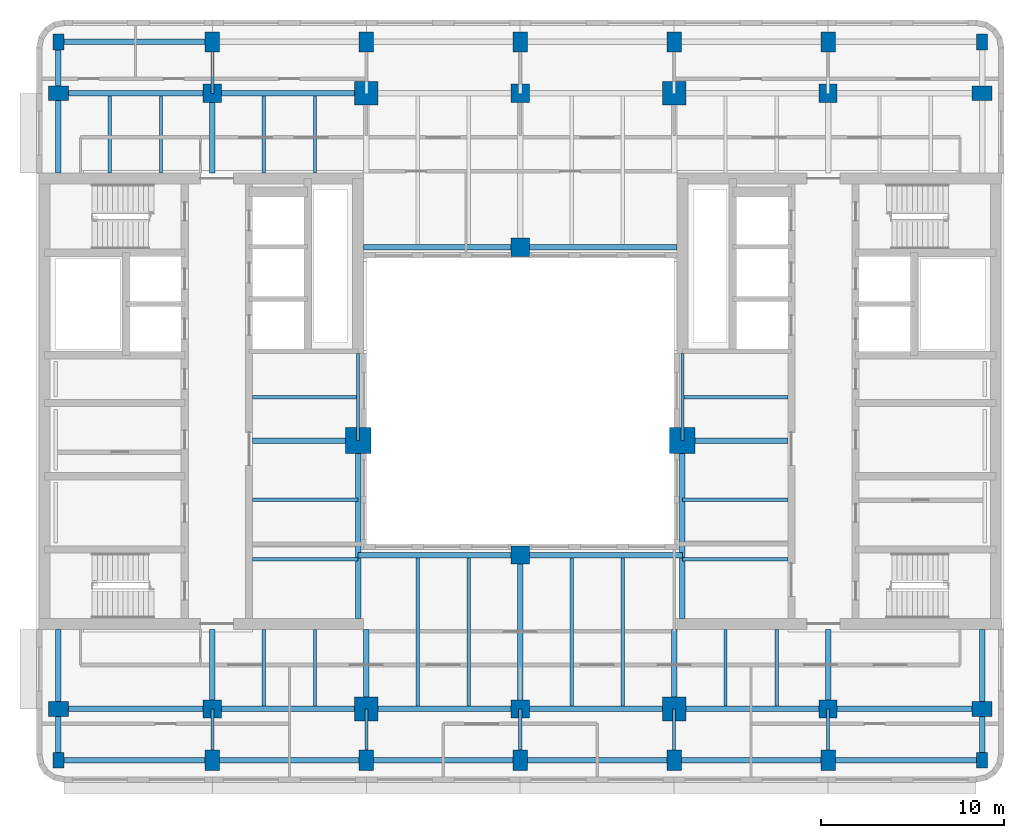
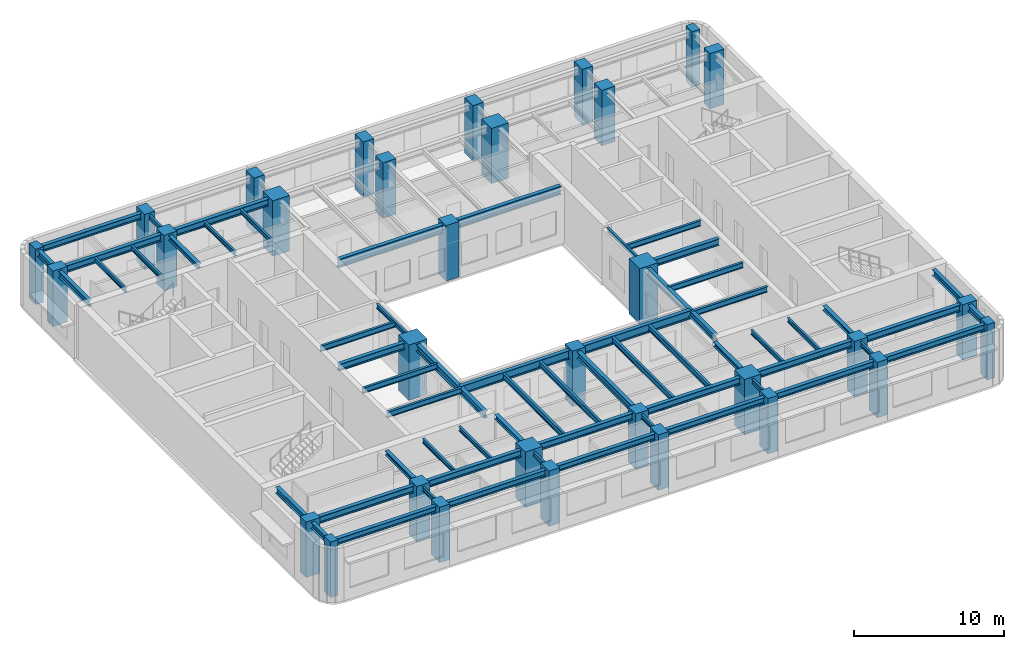
# One storey, part 1 of 11: 61 beams, 32 columns.
"""IFC4 building model written with IfcOpenShell, lengths in metres."""

from ifc_helpers import new_model, si_unit, direction, frame, origin, origin_2d, place, context, subcontext, project, spatial, rectangle, i_section, extrude, material, material_profile, profile_set, type_object, element, save


model = new_model("IFC4")

# Units and contexts
model_context = context("Model", 3, precision=1e-05, world=origin(), true_north=direction((0.0, 1.0)))
body_context = subcontext(model_context, "Body", "Model", "MODEL_VIEW")
ifc_project = project(units=[si_unit("LENGTHUNIT", "METRE"), si_unit("AREAUNIT", "SQUARE_METRE"), si_unit("VOLUMEUNIT", "CUBIC_METRE"), si_unit("PLANEANGLEUNIT", "RADIAN"), si_unit("MASSUNIT", "GRAM", prefix="KILO")], contexts=[model_context])

# Site, building, storey
site_placement = place(None, origin())
site = spatial("IfcSite", under=ifc_project, at=site_placement, CompositionType="ELEMENT")
building_placement = place(site_placement, origin())
building = spatial("IfcBuilding", under=site, at=building_placement, Name="Claustro Exchange Tower", CompositionType="ELEMENT")
storey_placement = place(building_placement, frame((0.0, 0.0, 268.199951171875)))
storey = spatial("IfcBuildingStorey", under=building, at=storey_placement, Name="L61", CompositionType="ELEMENT", Elevation=268.199951171875)

# Columns
ifc_material_1 = material(Name="Concrete HA-70 (C70/85)", Category="concrete")
ifc_material_profile_1 = material_profile(ifc_material_1, rectangle(XDim=1.39990234375, YDim=1.39990234375, at=origin_2d()), Name="RC 1400x1400")
ifc_profile_set_1 = profile_set([ifc_material_profile_1], Name="Concrete HA-70 (C70/85)")
column_type_1 = type_object("IfcColumnType", Name="C0 RC 1400x1400 HA-70 column", PredefinedType="COLUMN", material=ifc_profile_set_1)
for number, where, z_axis, x_axis, name in (
    (1, (16.35009765625, 23.050048828125, 0.0), (0.0, 0.0, 1.0), (1.0, 0.0, 0.0), "Column C0 2+7950/C+6250 L61"),
    (2, (34.050048828125, 23.050048828125, 0.0), (0.0, 0.0, 1.0), (1.0, 0.0, 0.0), "Column C0 5+450/C+6250 L61"),
):
    element("IfcColumn", number, at=place(storey_placement, frame(where, z_axis=z_axis, x_axis=x_axis)), inside=storey, type_object=column_type_1, Name=name, PredefinedType="COLUMN", context=body_context, shape_type="SweptSolid", body=[
        extrude(rectangle(XDim=1.39990234375, YDim=1.39990234375, at=origin_2d()), origin(), (0.0, 0.0, 1.0), 4.5),
    ])
ifc_material_2 = material(Name="Concrete HA-70 (C70/85)", Category="concrete")
ifc_material_profile_2 = material_profile(ifc_material_2, rectangle(XDim=1.0, YDim=1.0, at=origin_2d()), Name="RC 1000x1000")
ifc_profile_set_2 = profile_set([ifc_material_profile_2], Name="Concrete HA-70 (C70/85)")
column_type_2 = type_object("IfcColumnType", Name="C2 RC 1000x1000 HA-70 column", PredefinedType="COLUMN", material=ifc_profile_set_2)
for number, where, z_axis, x_axis, name in (
    (3, (8.39990234375, 8.39990234375, 0.0), (0.0, 0.0, 1.0), (1.0, 0.0, 0.0), "Column C2 2/B L61"),
    (4, (8.39990234375, 42.0, 0.0), (0.0, 0.0, 1.0), (1.0, 0.0, 0.0), "Column C2 2/F L61"),
    (5, (25.199951171875, 8.39990234375, 0.0), (0.0, 0.0, 1.0), (1.0, 0.0, 0.0), "Column C2 4/B L61"),
    (6, (25.199951171875, 42.0, 0.0), (0.0, 0.0, 1.0), (1.0, 0.0, 0.0), "Column C2 4/F L61"),
    (7, (25.199951171875, 16.800048828125, 0.0), (0.0, 0.0, 1.0), (1.0, 0.0, 0.0), "Column C2 4/C L61"),
    (8, (25.199951171875, 33.60009765625, 0.0), (0.0, 0.0, 1.0), (1.0, 0.0, 0.0), "Column C2 4/E L61"),
    (9, (42.0, 8.39990234375, 0.0), (0.0, 0.0, 1.0), (1.0, 0.0, 0.0), "Column C2 6/B L61"),
    (10, (42.0, 42.0, 0.0), (0.0, 0.0, 1.0), (1.0, 0.0, 0.0), "Column C2 6/F L61"),
):
    element("IfcColumn", number, at=place(storey_placement, frame(where, z_axis=z_axis, x_axis=x_axis)), inside=storey, type_object=column_type_2, Name=name, PredefinedType="COLUMN", context=body_context, shape_type="SweptSolid", body=[
        extrude(rectangle(XDim=1.0, YDim=1.0, at=origin_2d()), origin(), (0.0, 0.0, 1.0), 4.5),
    ])
ifc_material_3 = material(Name="Concrete HA-50 (C50/60)", Category="concrete")
ifc_material_profile_3 = material_profile(ifc_material_3, rectangle(XDim=0.800048828125, YDim=1.10009765625, at=origin_2d()), Name="RC 800x1100")
ifc_profile_set_3 = profile_set([ifc_material_profile_3], Name="Concrete HA-50 (C50/60)")
column_type_3 = type_object("IfcColumnType", Name="C23 RC 800x1100 HA-50 perimeter column", PredefinedType="COLUMN", material=ifc_profile_set_3)
for number, where, z_axis, x_axis, name in (
    (11, (0.0, 8.39990234375, 0.0), (0.0, 0.0, 1.0), (0.0, 1.0, 0.0), "Column C23 1/B L61"),
    (12, (0.0, 42.0, 0.0), (0.0, 0.0, 1.0), (0.0, 1.0, 0.0), "Column C23 1/F L61"),
    (13, (8.39990234375, 5.60009765625, 0.0), (0.0, 0.0, 1.0), (1.0, 0.0, 0.0), "Column C23 2/A+5600 L61"),
    (14, (8.39990234375, 44.800048828125, 0.0), (0.0, 0.0, 1.0), (1.0, 0.0, 0.0), "Column C23 2/F+2800 L61"),
    (15, (16.800048828125, 5.60009765625, 0.0), (0.0, 0.0, 1.0), (1.0, 0.0, 0.0), "Column C23 3/A+5600 L61"),
    (16, (16.800048828125, 44.800048828125, 0.0), (0.0, 0.0, 1.0), (1.0, 0.0, 0.0), "Column C23 3/F+2800 L61"),
    (17, (25.199951171875, 5.60009765625, 0.0), (0.0, 0.0, 1.0), (1.0, 0.0, 0.0), "Column C23 4/A+5600 L61"),
    (18, (25.199951171875, 44.800048828125, 0.0), (0.0, 0.0, 1.0), (1.0, 0.0, 0.0), "Column C23 4/F+2800 L61"),
    (19, (33.60009765625, 5.60009765625, 0.0), (0.0, 0.0, 1.0), (1.0, 0.0, 0.0), "Column C23 5/A+5600 L61"),
    (20, (33.60009765625, 44.800048828125, 0.0), (0.0, 0.0, 1.0), (1.0, 0.0, 0.0), "Column C23 5/F+2800 L61"),
    (21, (42.0, 5.60009765625, 0.0), (0.0, 0.0, 1.0), (1.0, 0.0, 0.0), "Column C23 6/A+5600 L61"),
    (22, (42.0, 44.800048828125, 0.0), (0.0, 0.0, 1.0), (1.0, 0.0, 0.0), "Column C23 6/F+2800 L61"),
    (23, (50.39990234375, 8.39990234375, 0.0), (0.0, 0.0, 1.0), (0.0, 1.0, 0.0), "Column C23 7/B L61"),
    (24, (50.39990234375, 42.0, 0.0), (0.0, 0.0, 1.0), (0.0, 1.0, 0.0), "Column C23 7/F L61"),
):
    element("IfcColumn", number, at=place(storey_placement, frame(where, z_axis=z_axis, x_axis=x_axis)), inside=storey, type_object=column_type_3, Name=name, PredefinedType="COLUMN", context=body_context, shape_type="SweptSolid", body=[
        extrude(rectangle(XDim=0.800048828125, YDim=1.10009765625, at=origin_2d()), origin(), (0.0, 0.0, 1.0), 4.5),
    ])
ifc_material_4 = material(Name="Concrete HA-50 (C50/60)", Category="concrete")
ifc_material_profile_4 = material_profile(ifc_material_4, rectangle(XDim=0.60009765625, YDim=0.85009765625, at=origin_2d()), Name="RC 600x850")
ifc_profile_set_4 = profile_set([ifc_material_profile_4], Name="Concrete HA-50 (C50/60)")
column_type_4 = type_object("IfcColumnType", Name="C25 RC 600x850 HA-50 corner column", PredefinedType="COLUMN", material=ifc_profile_set_4)
for number, where, z_axis, x_axis, name in (
    (25, (0.0, 5.60009765625, 0.0), (0.0, 0.0, 1.0), (1.0, 0.0, 0.0), "Column C25 1/A+5600 L61"),
    (26, (0.0, 44.800048828125, 0.0), (0.0, 0.0, 1.0), (1.0, 0.0, 0.0), "Column C25 1/F+2800 L61"),
    (27, (50.39990234375, 5.60009765625, 0.0), (0.0, 0.0, 1.0), (1.0, 0.0, 0.0), "Column C25 7/A+5600 L61"),
    (28, (50.39990234375, 44.800048828125, 0.0), (0.0, 0.0, 1.0), (1.0, 0.0, 0.0), "Column C25 7/F+2800 L61"),
):
    element("IfcColumn", number, at=place(storey_placement, frame(where, z_axis=z_axis, x_axis=x_axis)), inside=storey, type_object=column_type_4, Name=name, PredefinedType="COLUMN", context=body_context, shape_type="SweptSolid", body=[
        extrude(rectangle(XDim=0.60009765625, YDim=0.85009765625, at=origin_2d()), origin(), (0.0, 0.0, 1.0), 4.5),
    ])
ifc_material_5 = material(Name="Concrete HA-70 (C70/85)", Category="concrete")
ifc_material_profile_5 = material_profile(ifc_material_5, rectangle(XDim=1.300048828125, YDim=1.300048828125, at=origin_2d()), Name="RC 1300x1300")
ifc_profile_set_5 = profile_set([ifc_material_profile_5], Name="Concrete HA-70 (C70/85)")
column_type_5 = type_object("IfcColumnType", Name="C42 RC 1300x1300 HA-70 column", PredefinedType="COLUMN", material=ifc_profile_set_5)
for number, where, z_axis, x_axis, name in (
    (29, (16.800048828125, 8.39990234375, 0.0), (0.0, 0.0, 1.0), (1.0, 0.0, 0.0), "Column C42 3/B L61"),
    (30, (16.800048828125, 42.0, 0.0), (0.0, 0.0, 1.0), (1.0, 0.0, 0.0), "Column C42 3/F L61"),
    (31, (33.60009765625, 8.39990234375, 0.0), (0.0, 0.0, 1.0), (1.0, 0.0, 0.0), "Column C42 5/B L61"),
    (32, (33.60009765625, 42.0, 0.0), (0.0, 0.0, 1.0), (1.0, 0.0, 0.0), "Column C42 5/F L61"),
):
    element("IfcColumn", number, at=place(storey_placement, frame(where, z_axis=z_axis, x_axis=x_axis)), inside=storey, type_object=column_type_5, Name=name, PredefinedType="COLUMN", context=body_context, shape_type="SweptSolid", body=[
        extrude(rectangle(XDim=1.300048828125, YDim=1.300048828125, at=origin_2d()), origin(), (0.0, 0.0, 1.0), 4.5),
    ])

# Beams
ifc_material_6 = material(Name="Steel S355", Category="steel")
ifc_material_profile_6 = material_profile(ifc_material_6, i_section(OverallWidth=0.300048828125, OverallDepth=0.68994140625, WebThickness=0.014404296875, FlangeThickness=0.027099609375, FilletRadius=0.027099609375, at=origin_2d()), Name="HE 700 A")
ifc_profile_set_6 = profile_set([ifc_material_profile_6], Name="Steel S355")
beam_type_1 = type_object("IfcBeamType", Name="B13 HE 700 A light well edge girder", PredefinedType="BEAM", material=ifc_profile_set_6)
beam_1_placement = place(storey_placement, frame((16.35009765625, 16.800048828125, 4.005126953125), z_axis=(1.0, 0.0, 0.0), x_axis=(0.0, 1.0, 0.0)))
element("IfcBeam", 33, at=beam_1_placement, inside=storey, type_object=beam_type_1, Name="Beam B13 L62", PredefinedType="BEAM", context=body_context, shape_type="SweptSolid", body=[
    extrude(i_section(OverallWidth=0.300048828125, OverallDepth=0.68994140625, WebThickness=0.014404296875, FlangeThickness=0.027099609375, FilletRadius=0.027099609375, at=origin_2d()), origin(), (0.0, 0.0, 1.0), 8.849853515625),
])
beam_2_placement = place(storey_placement, frame((25.199951171875, 16.800048828125, 4.005126953125), z_axis=(1.0, 0.0, 0.0), x_axis=(0.0, 1.0, 0.0)))
element("IfcBeam", 34, at=beam_2_placement, inside=storey, type_object=beam_type_1, Name="Beam B13 L62", PredefinedType="BEAM", context=body_context, shape_type="SweptSolid", body=[
    extrude(i_section(OverallWidth=0.300048828125, OverallDepth=0.68994140625, WebThickness=0.014404296875, FlangeThickness=0.027099609375, FilletRadius=0.027099609375, at=origin_2d()), origin(), (0.0, 0.0, 1.0), 8.85009765625),
])
for number, where, z_axis, x_axis, name in (
    (35, (16.64990234375, 33.60009765625, 4.005126953125), (1.0, 0.0, 0.0), (0.0, 1.0, 0.0), "Beam B13 L62"),
    (36, (25.199951171875, 33.60009765625, 4.005126953125), (1.0, 0.0, 0.0), (0.0, 1.0, 0.0), "Beam B13 L62"),
):
    element("IfcBeam", number, at=place(storey_placement, frame(where, z_axis=z_axis, x_axis=x_axis)), inside=storey, type_object=beam_type_1, Name=name, PredefinedType="BEAM", context=body_context, shape_type="SweptSolid", body=[
        extrude(i_section(OverallWidth=0.300048828125, OverallDepth=0.68994140625, WebThickness=0.014404296875, FlangeThickness=0.027099609375, FilletRadius=0.027099609375, at=origin_2d()), origin(), (0.0, 0.0, 1.0), 8.550048828125),
    ])
ifc_material_7 = material(Name="Steel S355", Category="steel")
ifc_material_profile_7 = material_profile(ifc_material_7, i_section(OverallWidth=0.169921875, OverallDepth=0.360107421875, WebThickness=0.008056640625, FlangeThickness=0.0126953125, FilletRadius=0.01806640625, at=origin_2d()), Name="IPE 360")
ifc_profile_set_7 = profile_set([ifc_material_profile_7], Name="Steel S355")
beam_type_2 = type_object("IfcBeamType", Name="B16 IPE 360 short-span beam", PredefinedType="BEAM", material=ifc_profile_set_7)
beam_3_placement = place(storey_placement, frame((8.39990234375, 5.60009765625, 4.170166015625), z_axis=(0.0, 1.0, 0.0), x_axis=(-1.0, 0.0, 0.0)))
element("IfcBeam", 37, at=beam_3_placement, inside=storey, type_object=beam_type_2, Name="Beam B16 L62", PredefinedType="BEAM", context=body_context, shape_type="SweptSolid", body=[
    extrude(i_section(OverallWidth=0.169921875, OverallDepth=0.360107421875, WebThickness=0.008056640625, FlangeThickness=0.0126953125, FilletRadius=0.01806640625, at=origin_2d()), origin(), (0.0, 0.0, 1.0), 2.7998046875),
])
beam_4_placement = place(storey_placement, frame((8.39990234375, 42.0, 4.170166015625), z_axis=(0.0, 1.0, 0.0), x_axis=(-1.0, 0.0, 0.0)))
element("IfcBeam", 38, at=beam_4_placement, inside=storey, type_object=beam_type_2, Name="Beam B16 L62", PredefinedType="BEAM", context=body_context, shape_type="SweptSolid", body=[
    extrude(i_section(OverallWidth=0.169921875, OverallDepth=0.360107421875, WebThickness=0.008056640625, FlangeThickness=0.0126953125, FilletRadius=0.01806640625, at=origin_2d()), origin(), (0.0, 0.0, 1.0), 2.800048828125),
])
for number, where, z_axis, x_axis, name in (
    (39, (16.800048828125, 5.60009765625, 4.170166015625), (0.0, 1.0, 0.0), (-1.0, 0.0, 0.0), "Beam B16 L62"),
    (40, (25.199951171875, 5.60009765625, 4.170166015625), (0.0, 1.0, 0.0), (-1.0, 0.0, 0.0), "Beam B16 L62"),
    (41, (33.60009765625, 5.60009765625, 4.170166015625), (0.0, 1.0, 0.0), (-1.0, 0.0, 0.0), "Beam B16 L62"),
    (42, (42.0, 5.60009765625, 4.170166015625), (0.0, 1.0, 0.0), (-1.0, 0.0, 0.0), "Beam B16 L62"),
):
    element("IfcBeam", number, at=place(storey_placement, frame(where, z_axis=z_axis, x_axis=x_axis)), inside=storey, type_object=beam_type_2, Name=name, PredefinedType="BEAM", context=body_context, shape_type="SweptSolid", body=[
        extrude(i_section(OverallWidth=0.169921875, OverallDepth=0.360107421875, WebThickness=0.008056640625, FlangeThickness=0.0126953125, FilletRadius=0.01806640625, at=origin_2d()), origin(), (0.0, 0.0, 1.0), 2.7998046875),
    ])
for number, where, z_axis, x_axis, name in (
    (43, (2.800048828125, 37.64990234375, 4.170166015625), (0.0, 1.0, 0.0), (-1.0, 0.0, 0.0), "Beam B16 L62"),
    (44, (5.60009765625, 37.64990234375, 4.170166015625), (0.0, 1.0, 0.0), (-1.0, 0.0, 0.0), "Beam B16 L62"),
):
    element("IfcBeam", number, at=place(storey_placement, frame(where, z_axis=z_axis, x_axis=x_axis)), inside=storey, type_object=beam_type_2, Name=name, PredefinedType="BEAM", context=body_context, shape_type="SweptSolid", body=[
        extrude(i_section(OverallWidth=0.169921875, OverallDepth=0.360107421875, WebThickness=0.008056640625, FlangeThickness=0.0126953125, FilletRadius=0.01806640625, at=origin_2d()), origin(), (0.0, 0.0, 1.0), 4.2001953125),
    ])
for number, where, z_axis, x_axis, name in (
    (45, (11.199951171875, 8.550048828125, 4.170166015625), (0.0, 1.0, 0.0), (-1.0, 0.0, 0.0), "Beam B16 L62"),
    (46, (14.0, 8.550048828125, 4.170166015625), (0.0, 1.0, 0.0), (-1.0, 0.0, 0.0), "Beam B16 L62"),
):
    element("IfcBeam", number, at=place(storey_placement, frame(where, z_axis=z_axis, x_axis=x_axis)), inside=storey, type_object=beam_type_2, Name=name, PredefinedType="BEAM", context=body_context, shape_type="SweptSolid", body=[
        extrude(i_section(OverallWidth=0.169921875, OverallDepth=0.360107421875, WebThickness=0.008056640625, FlangeThickness=0.0126953125, FilletRadius=0.01806640625, at=origin_2d()), origin(), (0.0, 0.0, 1.0), 4.199951171875),
    ])
for number, where, z_axis, x_axis, name in (
    (47, (11.199951171875, 37.64990234375, 4.170166015625), (0.0, 1.0, 0.0), (-1.0, 0.0, 0.0), "Beam B16 L62"),
    (48, (14.0, 37.64990234375, 4.170166015625), (0.0, 1.0, 0.0), (-1.0, 0.0, 0.0), "Beam B16 L62"),
):
    element("IfcBeam", number, at=place(storey_placement, frame(where, z_axis=z_axis, x_axis=x_axis)), inside=storey, type_object=beam_type_2, Name=name, PredefinedType="BEAM", context=body_context, shape_type="SweptSolid", body=[
        extrude(i_section(OverallWidth=0.169921875, OverallDepth=0.360107421875, WebThickness=0.008056640625, FlangeThickness=0.0126953125, FilletRadius=0.01806640625, at=origin_2d()), origin(), (0.0, 0.0, 1.0), 4.2001953125),
    ])
for number, where, z_axis, x_axis, name in (
    (49, (36.39990234375, 8.550048828125, 4.170166015625), (0.0, 1.0, 0.0), (-1.0, 0.0, 0.0), "Beam B16 L62"),
    (50, (39.199951171875, 8.550048828125, 4.170166015625), (0.0, 1.0, 0.0), (-1.0, 0.0, 0.0), "Beam B16 L62"),
):
    element("IfcBeam", number, at=place(storey_placement, frame(where, z_axis=z_axis, x_axis=x_axis)), inside=storey, type_object=beam_type_2, Name=name, PredefinedType="BEAM", context=body_context, shape_type="SweptSolid", body=[
        extrude(i_section(OverallWidth=0.169921875, OverallDepth=0.360107421875, WebThickness=0.008056640625, FlangeThickness=0.0126953125, FilletRadius=0.01806640625, at=origin_2d()), origin(), (0.0, 0.0, 1.0), 4.199951171875),
    ])
for number, where, z_axis, x_axis, name in (
    (51, (16.35009765625, 23.050048828125, 4.170166015625), (0.0, 1.0, 0.0), (-1.0, 0.0, 0.0), "Beam B16 core step framing L62"),
    (52, (34.050048828125, 23.050048828125, 4.170166015625), (0.0, 1.0, 0.0), (-1.0, 0.0, 0.0), "Beam B16 core step framing L62"),
):
    element("IfcBeam", number, at=place(storey_placement, frame(where, z_axis=z_axis, x_axis=x_axis)), inside=storey, type_object=beam_type_2, Name=name, PredefinedType="BEAM", context=body_context, shape_type="SweptSolid", body=[
        extrude(i_section(OverallWidth=0.169921875, OverallDepth=0.360107421875, WebThickness=0.008056640625, FlangeThickness=0.0126953125, FilletRadius=0.01806640625, at=origin_2d()), origin(), (0.0, 0.0, 1.0), 4.75),
    ])
ifc_material_8 = material(Name="Steel S355", Category="steel")
ifc_material_profile_8 = material_profile(ifc_material_8, i_section(OverallWidth=0.300048828125, OverallDepth=0.550048828125, WebThickness=0.014892578125, FlangeThickness=0.029052734375, FilletRadius=0.027099609375, at=origin_2d()), Name="HE 550 B")
ifc_profile_set_8 = profile_set([ifc_material_profile_8], Name="Steel S355")
beam_type_3 = type_object("IfcBeamType", Name="B17 HE 550 B floor girder", PredefinedType="BEAM", material=ifc_profile_set_8)
beam_5_placement = place(storey_placement, frame((25.199951171875, 8.39990234375, 4.074951171875), z_axis=(0.0, 1.0, 0.0), x_axis=(-1.0, 0.0, 0.0)))
element("IfcBeam", 53, at=beam_5_placement, inside=storey, type_object=beam_type_3, Name="Beam B17 L62", PredefinedType="BEAM", context=body_context, shape_type="SweptSolid", body=[
    extrude(i_section(OverallWidth=0.300048828125, OverallDepth=0.550048828125, WebThickness=0.014892578125, FlangeThickness=0.029052734375, FilletRadius=0.027099609375, at=origin_2d()), origin(), (0.0, 0.0, 1.0), 8.400146484375),
])
beam_6_placement = place(storey_placement, frame((0.0, 8.39990234375, 4.074951171875), z_axis=(1.0, 0.0, 0.0), x_axis=(0.0, 1.0, 0.0)))
element("IfcBeam", 54, at=beam_6_placement, inside=storey, type_object=beam_type_3, Name="Beam B17 L62", PredefinedType="BEAM", context=body_context, shape_type="SweptSolid", body=[
    extrude(i_section(OverallWidth=0.300048828125, OverallDepth=0.550048828125, WebThickness=0.014892578125, FlangeThickness=0.029052734375, FilletRadius=0.027099609375, at=origin_2d()), origin(), (0.0, 0.0, 1.0), 8.39990234375),
])
beam_7_placement = place(storey_placement, frame((8.39990234375, 8.39990234375, 4.074951171875), z_axis=(1.0, 0.0, 0.0), x_axis=(0.0, 1.0, 0.0)))
element("IfcBeam", 55, at=beam_7_placement, inside=storey, type_object=beam_type_3, Name="Beam B17 L62", PredefinedType="BEAM", context=body_context, shape_type="SweptSolid", body=[
    extrude(i_section(OverallWidth=0.300048828125, OverallDepth=0.550048828125, WebThickness=0.014892578125, FlangeThickness=0.029052734375, FilletRadius=0.027099609375, at=origin_2d()), origin(), (0.0, 0.0, 1.0), 8.400146484375),
])
beam_8_placement = place(storey_placement, frame((16.800048828125, 8.39990234375, 4.074951171875), z_axis=(1.0, 0.0, 0.0), x_axis=(0.0, 1.0, 0.0)))
element("IfcBeam", 56, at=beam_8_placement, inside=storey, type_object=beam_type_3, Name="Beam B17 L62", PredefinedType="BEAM", context=body_context, shape_type="SweptSolid", body=[
    extrude(i_section(OverallWidth=0.300048828125, OverallDepth=0.550048828125, WebThickness=0.014892578125, FlangeThickness=0.029052734375, FilletRadius=0.027099609375, at=origin_2d()), origin(), (0.0, 0.0, 1.0), 8.39990234375),
])
beam_9_placement = place(storey_placement, frame((25.199951171875, 8.39990234375, 4.074951171875), z_axis=(1.0, 0.0, 0.0), x_axis=(0.0, 1.0, 0.0)))
element("IfcBeam", 57, at=beam_9_placement, inside=storey, type_object=beam_type_3, Name="Beam B17 L62", PredefinedType="BEAM", context=body_context, shape_type="SweptSolid", body=[
    extrude(i_section(OverallWidth=0.300048828125, OverallDepth=0.550048828125, WebThickness=0.014892578125, FlangeThickness=0.029052734375, FilletRadius=0.027099609375, at=origin_2d()), origin(), (0.0, 0.0, 1.0), 8.400146484375),
])
for number, where, z_axis, x_axis, name in (
    (58, (33.60009765625, 8.39990234375, 4.074951171875), (1.0, 0.0, 0.0), (0.0, 1.0, 0.0), "Beam B17 L62"),
    (59, (42.0, 8.39990234375, 4.074951171875), (1.0, 0.0, 0.0), (0.0, 1.0, 0.0), "Beam B17 L62"),
    (60, (0.0, 42.0, 4.074951171875), (1.0, 0.0, 0.0), (0.0, 1.0, 0.0), "Beam B17 L62"),
):
    element("IfcBeam", number, at=place(storey_placement, frame(where, z_axis=z_axis, x_axis=x_axis)), inside=storey, type_object=beam_type_3, Name=name, PredefinedType="BEAM", context=body_context, shape_type="SweptSolid", body=[
        extrude(i_section(OverallWidth=0.300048828125, OverallDepth=0.550048828125, WebThickness=0.014892578125, FlangeThickness=0.029052734375, FilletRadius=0.027099609375, at=origin_2d()), origin(), (0.0, 0.0, 1.0), 8.39990234375),
    ])
beam_10_placement = place(storey_placement, frame((8.39990234375, 42.0, 4.074951171875), z_axis=(1.0, 0.0, 0.0), x_axis=(0.0, 1.0, 0.0)))
element("IfcBeam", 61, at=beam_10_placement, inside=storey, type_object=beam_type_3, Name="Beam B17 L62", PredefinedType="BEAM", context=body_context, shape_type="SweptSolid", body=[
    extrude(i_section(OverallWidth=0.300048828125, OverallDepth=0.550048828125, WebThickness=0.014892578125, FlangeThickness=0.029052734375, FilletRadius=0.027099609375, at=origin_2d()), origin(), (0.0, 0.0, 1.0), 8.400146484375),
])
beam_11_placement = place(storey_placement, frame((10.60009765625, 23.050048828125, 4.074951171875), z_axis=(1.0, 0.0, 0.0), x_axis=(0.0, 1.0, 0.0)))
element("IfcBeam", 62, at=beam_11_placement, inside=storey, type_object=beam_type_3, Name="Beam B17 core step framing L62", PredefinedType="BEAM", context=body_context, shape_type="SweptSolid", body=[
    extrude(i_section(OverallWidth=0.300048828125, OverallDepth=0.550048828125, WebThickness=0.014892578125, FlangeThickness=0.029052734375, FilletRadius=0.027099609375, at=origin_2d()), origin(), (0.0, 0.0, 1.0), 5.75),
])
beam_12_placement = place(storey_placement, frame((16.35009765625, 13.35009765625, 4.074951171875), z_axis=(0.0, 1.0, 0.0), x_axis=(-1.0, 0.0, 0.0)))
element("IfcBeam", 63, at=beam_12_placement, inside=storey, type_object=beam_type_3, Name="Beam B17 core step framing L62", PredefinedType="BEAM", context=body_context, shape_type="SweptSolid", body=[
    extrude(i_section(OverallWidth=0.300048828125, OverallDepth=0.550048828125, WebThickness=0.014892578125, FlangeThickness=0.029052734375, FilletRadius=0.027099609375, at=origin_2d()), origin(), (0.0, 0.0, 1.0), 9.699951171875),
])
beam_13_placement = place(storey_placement, frame((34.050048828125, 23.050048828125, 4.074951171875), z_axis=(1.0, 0.0, 0.0), x_axis=(0.0, 1.0, 0.0)))
element("IfcBeam", 64, at=beam_13_placement, inside=storey, type_object=beam_type_3, Name="Beam B17 core step framing L62", PredefinedType="BEAM", context=body_context, shape_type="SweptSolid", body=[
    extrude(i_section(OverallWidth=0.300048828125, OverallDepth=0.550048828125, WebThickness=0.014892578125, FlangeThickness=0.029052734375, FilletRadius=0.027099609375, at=origin_2d()), origin(), (0.0, 0.0, 1.0), 5.75),
])
beam_14_placement = place(storey_placement, frame((34.050048828125, 13.35009765625, 4.074951171875), z_axis=(0.0, 1.0, 0.0), x_axis=(-1.0, 0.0, 0.0)))
element("IfcBeam", 65, at=beam_14_placement, inside=storey, type_object=beam_type_3, Name="Beam B17 core step framing L62", PredefinedType="BEAM", context=body_context, shape_type="SweptSolid", body=[
    extrude(i_section(OverallWidth=0.300048828125, OverallDepth=0.550048828125, WebThickness=0.014892578125, FlangeThickness=0.029052734375, FilletRadius=0.027099609375, at=origin_2d()), origin(), (0.0, 0.0, 1.0), 9.699951171875),
])
ifc_material_9 = material(Name="Steel S355", Category="steel")
ifc_material_profile_9 = material_profile(ifc_material_9, i_section(OverallWidth=0.300048828125, OverallDepth=0.360107421875, WebThickness=0.012451171875, FlangeThickness=0.0224609375, FilletRadius=0.027099609375, at=origin_2d()), Name="HE 360 B")
ifc_profile_set_9 = profile_set([ifc_material_profile_9], Name="Steel S355")
beam_type_4 = type_object("IfcBeamType", Name="B29 HE 360 B column to core link beam", PredefinedType="BEAM", material=ifc_profile_set_9)
for number, where, z_axis, x_axis, name in (
    (66, (8.39990234375, 8.39990234375, 4.170166015625), (0.0, 1.0, 0.0), (-1.0, 0.0, 0.0), "Beam B29 L62"),
    (67, (8.39990234375, 37.64990234375, 4.170166015625), (0.0, 1.0, 0.0), (-1.0, 0.0, 0.0), "Beam B29 L62"),
    (68, (16.800048828125, 8.39990234375, 4.170166015625), (0.0, 1.0, 0.0), (-1.0, 0.0, 0.0), "Beam B29 L62"),
    (69, (33.60009765625, 8.39990234375, 4.170166015625), (0.0, 1.0, 0.0), (-1.0, 0.0, 0.0), "Beam B29 L62"),
    (70, (42.0, 8.39990234375, 4.170166015625), (0.0, 1.0, 0.0), (-1.0, 0.0, 0.0), "Beam B29 L62"),
):
    element("IfcBeam", number, at=place(storey_placement, frame(where, z_axis=z_axis, x_axis=x_axis)), inside=storey, type_object=beam_type_4, Name=name, PredefinedType="BEAM", context=body_context, shape_type="SweptSolid", body=[
        extrude(i_section(OverallWidth=0.300048828125, OverallDepth=0.360107421875, WebThickness=0.012451171875, FlangeThickness=0.0224609375, FilletRadius=0.027099609375, at=origin_2d()), origin(), (0.0, 0.0, 1.0), 4.35009765625),
    ])
ifc_material_10 = material(Name="Steel S355", Category="steel")
ifc_material_profile_10 = material_profile(ifc_material_10, i_section(OverallWidth=0.18994140625, OverallDepth=0.449951171875, WebThickness=0.009521484375, FlangeThickness=0.0146484375, FilletRadius=0.02099609375, at=origin_2d()), Name="IPE 450")
ifc_profile_set_10 = profile_set([ifc_material_profile_10], Name="Steel S355")
beam_type_5 = type_object("IfcBeamType", Name="B8 IPE 450 secondary beam", PredefinedType="BEAM", material=ifc_profile_set_10)
for number, where, z_axis, x_axis, name in (
    (71, (19.60009765625, 8.550048828125, 4.125), (0.0, 1.0, 0.0), (-1.0, 0.0, 0.0), "Beam B8 L62"),
    (72, (22.39990234375, 8.550048828125, 4.125), (0.0, 1.0, 0.0), (-1.0, 0.0, 0.0), "Beam B8 L62"),
    (73, (28.0, 8.550048828125, 4.125), (0.0, 1.0, 0.0), (-1.0, 0.0, 0.0), "Beam B8 L62"),
    (74, (30.800048828125, 8.550048828125, 4.125), (0.0, 1.0, 0.0), (-1.0, 0.0, 0.0), "Beam B8 L62"),
):
    element("IfcBeam", number, at=place(storey_placement, frame(where, z_axis=z_axis, x_axis=x_axis)), inside=storey, type_object=beam_type_5, Name=name, PredefinedType="BEAM", context=body_context, shape_type="SweptSolid", body=[
        extrude(i_section(OverallWidth=0.18994140625, OverallDepth=0.449951171875, WebThickness=0.009521484375, FlangeThickness=0.0146484375, FilletRadius=0.02099609375, at=origin_2d()), origin(), (0.0, 0.0, 1.0), 8.099853515625),
    ])
for number, where, z_axis, x_axis, name in (
    (75, (10.60009765625, 16.583251953125, 4.125), (1.0, 0.0, 0.0), (0.0, 1.0, 0.0), "Beam B8 core step framing L62"),
    (76, (10.60009765625, 19.816650390625, 4.125), (1.0, 0.0, 0.0), (0.0, 1.0, 0.0), "Beam B8 core step framing L62"),
    (77, (10.60009765625, 25.425048828125, 4.125), (1.0, 0.0, 0.0), (0.0, 1.0, 0.0), "Beam B8 core step framing L62"),
    (78, (34.050048828125, 16.583251953125, 4.125), (1.0, 0.0, 0.0), (0.0, 1.0, 0.0), "Beam B8 core step framing L62"),
    (79, (34.050048828125, 19.816650390625, 4.125), (1.0, 0.0, 0.0), (0.0, 1.0, 0.0), "Beam B8 core step framing L62"),
    (80, (34.050048828125, 25.425048828125, 4.125), (1.0, 0.0, 0.0), (0.0, 1.0, 0.0), "Beam B8 core step framing L62"),
):
    element("IfcBeam", number, at=place(storey_placement, frame(where, z_axis=z_axis, x_axis=x_axis)), inside=storey, type_object=beam_type_5, Name=name, PredefinedType="BEAM", context=body_context, shape_type="SweptSolid", body=[
        extrude(i_section(OverallWidth=0.18994140625, OverallDepth=0.449951171875, WebThickness=0.009521484375, FlangeThickness=0.0146484375, FilletRadius=0.02099609375, at=origin_2d()), origin(), (0.0, 0.0, 1.0), 5.75),
    ])
ifc_material_11 = material(Name="Steel S355", Category="steel")
ifc_material_profile_11 = material_profile(ifc_material_11, i_section(OverallWidth=0.300048828125, OverallDepth=0.489990234375, WebThickness=0.011962890625, FlangeThickness=0.02294921875, FilletRadius=0.027099609375, at=origin_2d()), Name="HE 500 A")
ifc_profile_set_11 = profile_set([ifc_material_profile_11], Name="Steel S355")
beam_type_6 = type_object("IfcBeamType", Name="B9 HE 500 A spandrel edge girder", PredefinedType="SPANDREL", material=ifc_profile_set_11)
beam_15_placement = place(storey_placement, frame((0.0, 5.60009765625, 4.10498046875), z_axis=(0.0, 1.0, 0.0), x_axis=(-1.0, 0.0, 0.0)))
element("IfcBeam", 81, at=beam_15_placement, inside=storey, type_object=beam_type_6, Name="Beam B9 L62", PredefinedType="SPANDREL", context=body_context, shape_type="SweptSolid", body=[
    extrude(i_section(OverallWidth=0.300048828125, OverallDepth=0.489990234375, WebThickness=0.011962890625, FlangeThickness=0.02294921875, FilletRadius=0.027099609375, at=origin_2d()), origin(), (0.0, 0.0, 1.0), 2.7998046875),
])
for number, where, z_axis, x_axis, name in (
    (82, (0.0, 8.39990234375, 4.10498046875), (0.0, 1.0, 0.0), (-1.0, 0.0, 0.0), "Beam B9 L62"),
    (83, (0.0, 37.64990234375, 4.10498046875), (0.0, 1.0, 0.0), (-1.0, 0.0, 0.0), "Beam B9 L62"),
):
    element("IfcBeam", number, at=place(storey_placement, frame(where, z_axis=z_axis, x_axis=x_axis)), inside=storey, type_object=beam_type_6, Name=name, PredefinedType="SPANDREL", context=body_context, shape_type="SweptSolid", body=[
        extrude(i_section(OverallWidth=0.300048828125, OverallDepth=0.489990234375, WebThickness=0.011962890625, FlangeThickness=0.02294921875, FilletRadius=0.027099609375, at=origin_2d()), origin(), (0.0, 0.0, 1.0), 4.35009765625),
    ])
beam_16_placement = place(storey_placement, frame((0.0, 42.0, 4.10498046875), z_axis=(0.0, 1.0, 0.0), x_axis=(-1.0, 0.0, 0.0)))
element("IfcBeam", 84, at=beam_16_placement, inside=storey, type_object=beam_type_6, Name="Beam B9 L62", PredefinedType="SPANDREL", context=body_context, shape_type="SweptSolid", body=[
    extrude(i_section(OverallWidth=0.300048828125, OverallDepth=0.489990234375, WebThickness=0.011962890625, FlangeThickness=0.02294921875, FilletRadius=0.027099609375, at=origin_2d()), origin(), (0.0, 0.0, 1.0), 2.800048828125),
])
beam_17_placement = place(storey_placement, frame((50.39990234375, 5.60009765625, 4.10498046875), z_axis=(0.0, 1.0, 0.0), x_axis=(-1.0, 0.0, 0.0)))
element("IfcBeam", 85, at=beam_17_placement, inside=storey, type_object=beam_type_6, Name="Beam B9 L62", PredefinedType="SPANDREL", context=body_context, shape_type="SweptSolid", body=[
    extrude(i_section(OverallWidth=0.300048828125, OverallDepth=0.489990234375, WebThickness=0.011962890625, FlangeThickness=0.02294921875, FilletRadius=0.027099609375, at=origin_2d()), origin(), (0.0, 0.0, 1.0), 2.7998046875),
])
beam_18_placement = place(storey_placement, frame((50.39990234375, 8.39990234375, 4.10498046875), z_axis=(0.0, 1.0, 0.0), x_axis=(-1.0, 0.0, 0.0)))
element("IfcBeam", 86, at=beam_18_placement, inside=storey, type_object=beam_type_6, Name="Beam B9 L62", PredefinedType="SPANDREL", context=body_context, shape_type="SweptSolid", body=[
    extrude(i_section(OverallWidth=0.300048828125, OverallDepth=0.489990234375, WebThickness=0.011962890625, FlangeThickness=0.02294921875, FilletRadius=0.027099609375, at=origin_2d()), origin(), (0.0, 0.0, 1.0), 4.35009765625),
])
beam_19_placement = place(storey_placement, frame((0.0, 5.60009765625, 4.10498046875), z_axis=(1.0, 0.0, 0.0), x_axis=(0.0, 1.0, 0.0)))
element("IfcBeam", 87, at=beam_19_placement, inside=storey, type_object=beam_type_6, Name="Beam B9 L62", PredefinedType="SPANDREL", context=body_context, shape_type="SweptSolid", body=[
    extrude(i_section(OverallWidth=0.300048828125, OverallDepth=0.489990234375, WebThickness=0.011962890625, FlangeThickness=0.02294921875, FilletRadius=0.027099609375, at=origin_2d()), origin(), (0.0, 0.0, 1.0), 8.39990234375),
])
beam_20_placement = place(storey_placement, frame((8.39990234375, 5.60009765625, 4.10498046875), z_axis=(1.0, 0.0, 0.0), x_axis=(0.0, 1.0, 0.0)))
element("IfcBeam", 88, at=beam_20_placement, inside=storey, type_object=beam_type_6, Name="Beam B9 L62", PredefinedType="SPANDREL", context=body_context, shape_type="SweptSolid", body=[
    extrude(i_section(OverallWidth=0.300048828125, OverallDepth=0.489990234375, WebThickness=0.011962890625, FlangeThickness=0.02294921875, FilletRadius=0.027099609375, at=origin_2d()), origin(), (0.0, 0.0, 1.0), 8.400146484375),
])
beam_21_placement = place(storey_placement, frame((16.800048828125, 5.60009765625, 4.10498046875), z_axis=(1.0, 0.0, 0.0), x_axis=(0.0, 1.0, 0.0)))
element("IfcBeam", 89, at=beam_21_placement, inside=storey, type_object=beam_type_6, Name="Beam B9 L62", PredefinedType="SPANDREL", context=body_context, shape_type="SweptSolid", body=[
    extrude(i_section(OverallWidth=0.300048828125, OverallDepth=0.489990234375, WebThickness=0.011962890625, FlangeThickness=0.02294921875, FilletRadius=0.027099609375, at=origin_2d()), origin(), (0.0, 0.0, 1.0), 8.39990234375),
])
beam_22_placement = place(storey_placement, frame((25.199951171875, 5.60009765625, 4.10498046875), z_axis=(1.0, 0.0, 0.0), x_axis=(0.0, 1.0, 0.0)))
element("IfcBeam", 90, at=beam_22_placement, inside=storey, type_object=beam_type_6, Name="Beam B9 L62", PredefinedType="SPANDREL", context=body_context, shape_type="SweptSolid", body=[
    extrude(i_section(OverallWidth=0.300048828125, OverallDepth=0.489990234375, WebThickness=0.011962890625, FlangeThickness=0.02294921875, FilletRadius=0.027099609375, at=origin_2d()), origin(), (0.0, 0.0, 1.0), 8.400146484375),
])
for number, where, z_axis, x_axis, name in (
    (91, (33.60009765625, 5.60009765625, 4.10498046875), (1.0, 0.0, 0.0), (0.0, 1.0, 0.0), "Beam B9 L62"),
    (92, (42.0, 5.60009765625, 4.10498046875), (1.0, 0.0, 0.0), (0.0, 1.0, 0.0), "Beam B9 L62"),
    (93, (0.0, 44.800048828125, 4.10498046875), (1.0, 0.0, 0.0), (0.0, 1.0, 0.0), "Beam B9 L62"),
):
    element("IfcBeam", number, at=place(storey_placement, frame(where, z_axis=z_axis, x_axis=x_axis)), inside=storey, type_object=beam_type_6, Name=name, PredefinedType="SPANDREL", context=body_context, shape_type="SweptSolid", body=[
        extrude(i_section(OverallWidth=0.300048828125, OverallDepth=0.489990234375, WebThickness=0.011962890625, FlangeThickness=0.02294921875, FilletRadius=0.027099609375, at=origin_2d()), origin(), (0.0, 0.0, 1.0), 8.39990234375),
    ])

save(model, "model.ifc")
